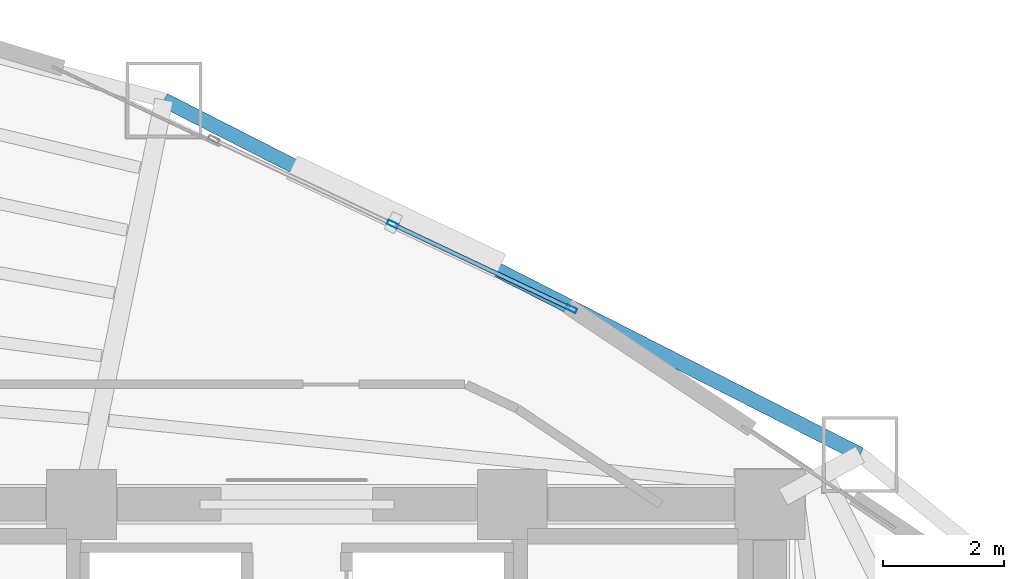
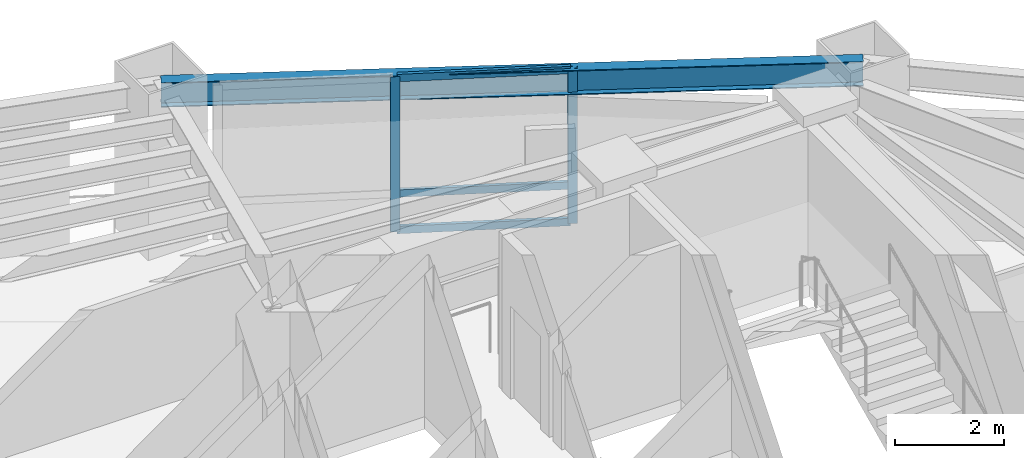
# One storey, part 14 of 23: 5 members, 1 beam, 1 element without a shape of its own.
"""IFC4 building model written with IfcOpenShell, lengths in metres."""

from ifc_helpers import new_model, si_unit, direction, frame, origin, origin_2d, place, context, subcontext, project, spatial, hollow_rectangle, i_section, extrude, material, layer, layer_set, material_profile, profile_set, type_object, element, aggregate, save


model = new_model("IFC4")

# Units and contexts
model_context = context("Model", 3, precision=1e-05, world=origin(), true_north=direction((0.0, 1.0)))
body_context = subcontext(model_context, "Body", "Model", "MODEL_VIEW")
ifc_project = project(units=[si_unit("LENGTHUNIT", "METRE"), si_unit("AREAUNIT", "SQUARE_METRE"), si_unit("VOLUMEUNIT", "CUBIC_METRE"), si_unit("PLANEANGLEUNIT", "RADIAN"), si_unit("MASSUNIT", "GRAM", prefix="KILO")], contexts=[model_context])

# Site, building, storey
site_placement = place(None, origin())
site = spatial("IfcSite", under=ifc_project, at=site_placement, CompositionType="ELEMENT")
building_placement = place(site_placement, origin())
building = spatial("IfcBuilding", under=site, at=building_placement, Name="Menara Vayukalpa", CompositionType="ELEMENT")
storey_placement = place(building_placement, frame((0.0, 0.0, 103.97998046875)))
storey = spatial("IfcBuildingStorey", under=building, at=storey_placement, Name="L25", CompositionType="ELEMENT", Elevation=103.97998046875)

# Beam
ifc_material_1 = material(Name="Steel S355", Category="steel")
ifc_material_profile_1 = material_profile(ifc_material_1, i_section(OverallWidth=0.239990234375, OverallDepth=0.550048828125, WebThickness=0.010986328125, FlangeThickness=0.01904296875, at=origin_2d()), Name="WF 550x240x11x19")
ifc_profile_set_1 = profile_set([ifc_material_profile_1], Name="Steel S355")
beam_type = type_object("IfcBeamType", Name="BM-SP2", PredefinedType="SPANDREL", material=ifc_profile_set_1)
beam_placement = place(storey_placement, frame((34.88671875, 27.62158203125, 3.195068359375), z_axis=(-0.891097345221, 0.453812209333, 0.0), x_axis=(-0.453812209333, -0.891097345221, 0.0)))
element("IfcBeam", 1, at=beam_placement, inside=storey, type_object=beam_type, Name="L25 Perimeter Spandrel Beam SP02", PredefinedType="SPANDREL", context=body_context, shape_type="SweptSolid", body=[
    extrude(i_section(OverallWidth=0.239990234375, OverallDepth=0.550048828125, WebThickness=0.010986328125, FlangeThickness=0.01904296875, at=origin_2d()), origin(), (0.0, 0.0, 1.0), 12.88134765625),
])

# Curtain wall, members
ifc_material_2 = material(Name="Anodised Terracotta Aluminium Alloy 6063-T6", Category="masonry")
ifc_layer = layer(ifc_material_2, 0.179931640625)
ifc_layer_set = layer_set([ifc_layer], Name="Anodised Terracotta Aluminium Alloy 6063-T6")
curtain_wall_type = type_object("IfcCurtainWallType", Name="CW-CW4", PredefinedType="USERDEFINED", material=ifc_layer_set)
curtain_wall_placement = place(storey_placement, origin())
curtain_wall = element("IfcCurtainWall", 2, at=curtain_wall_placement, inside=storey, type_object=curtain_wall_type, Name="L25 Sky Bar Cantilever Glazed Curtain Wall CW4 05", ObjectType="UNITISED", PredefinedType="USERDEFINED")
ifc_material_3 = material(Name="Anodised Terracotta Aluminium Alloy 6063-T6", Category="masonry")
ifc_material_profile_2 = material_profile(ifc_material_3, hollow_rectangle(XDim=0.074951171875, YDim=0.179931640625, WallThickness=0.00390625, at=origin_2d()), Name="ALU 75x180x4")
ifc_profile_set_2 = profile_set([ifc_material_profile_2], Name="Anodised Terracotta Aluminium Alloy 6063-T6")
member_type_1 = type_object("IfcMemberType", Name="CWM-CW4", PredefinedType="MULLION", material=ifc_profile_set_2)
member_1_placement = place(storey_placement, frame((30.127197265625, 30.023681640625, 0.0), z_axis=(0.0, 0.0, 1.0), x_axis=(-0.427870715016, -0.903839947796, 0.0)))
member_1 = element("IfcMember", 3, at=member_1_placement, type_object=member_type_1, Name="CW4 mullion 1", PredefinedType="MULLION", context=body_context, shape_type="SweptSolid", body=[
    extrude(hollow_rectangle(XDim=0.074951171875, YDim=0.179931640625, WallThickness=0.00390625, at=origin_2d()), origin(), (0.0, 0.0, 1.0), 3.469970703125),
])
member_2_placement = place(storey_placement, frame((27.178955078125, 31.41943359375, 0.0), z_axis=(0.0, 0.0, 1.0), x_axis=(-0.427870715016, -0.903839947796, 0.0)))
member_2 = element("IfcMember", 4, at=member_2_placement, type_object=member_type_1, Name="CW4 mullion 2", PredefinedType="MULLION", context=body_context, shape_type="SweptSolid", body=[
    extrude(hollow_rectangle(XDim=0.074951171875, YDim=0.179931640625, WallThickness=0.00390625, at=origin_2d()), origin(), (0.0, 0.0, 1.0), 3.469970703125),
])
ifc_material_4 = material(Name="Anodised Terracotta Aluminium Alloy 6063-T6", Category="masonry")
ifc_material_profile_3 = material_profile(ifc_material_4, hollow_rectangle(XDim=0.070068359375, YDim=0.1650390625, WallThickness=0.00390625, at=origin_2d()), Name="ALU 70x165x4")
ifc_profile_set_3 = profile_set([ifc_material_profile_3], Name="Anodised Terracotta Aluminium Alloy 6063-T6")
member_type_2 = type_object("IfcMemberType", Name="CWT-CW4", PredefinedType="USERDEFINED", material=ifc_profile_set_3)
member_3_placement = place(storey_placement, frame((30.093505859375, 30.039794921875, 0.034912109375), z_axis=(-0.903856350553, 0.42783606389, 0.0), x_axis=(-0.42783606389, -0.903856350553, 0.0)))
member_3 = element("IfcMember", 5, at=member_3_placement, type_object=member_type_2, Name="CW4 transom 1.1", ObjectType="TRANSOM", PredefinedType="USERDEFINED", context=body_context, shape_type="SweptSolid", body=[
    extrude(hollow_rectangle(XDim=0.070068359375, YDim=0.1650390625, WallThickness=0.00390625, at=origin_2d()), origin(), (0.0, 0.0, 1.0), 3.18701171875),
])
member_4_placement = place(storey_placement, frame((30.093505859375, 30.039794921875, 0.85009765625), z_axis=(-0.903856350553, 0.42783606389, 0.0), x_axis=(-0.42783606389, -0.903856350553, 0.0)))
member_4 = element("IfcMember", 6, at=member_4_placement, type_object=member_type_2, Name="CW4 transom 1.2", ObjectType="TRANSOM", PredefinedType="USERDEFINED", context=body_context, shape_type="SweptSolid", body=[
    extrude(hollow_rectangle(XDim=0.070068359375, YDim=0.1650390625, WallThickness=0.00390625, at=origin_2d()), origin(), (0.0, 0.0, 1.0), 3.18701171875),
])
member_5_placement = place(storey_placement, frame((30.093505859375, 30.039794921875, 3.43505859375), z_axis=(-0.903856350553, 0.42783606389, 0.0), x_axis=(-0.42783606389, -0.903856350553, 0.0)))
member_5 = element("IfcMember", 7, at=member_5_placement, type_object=member_type_2, Name="CW4 transom 1.3", ObjectType="TRANSOM", PredefinedType="USERDEFINED", context=body_context, shape_type="SweptSolid", body=[
    extrude(hollow_rectangle(XDim=0.070068359375, YDim=0.1650390625, WallThickness=0.00390625, at=origin_2d()), origin(), (0.0, 0.0, 1.0), 3.18701171875),
])
aggregate(curtain_wall, [member_1, member_2, member_3, member_4, member_5])

save(model, "model.ifc")
